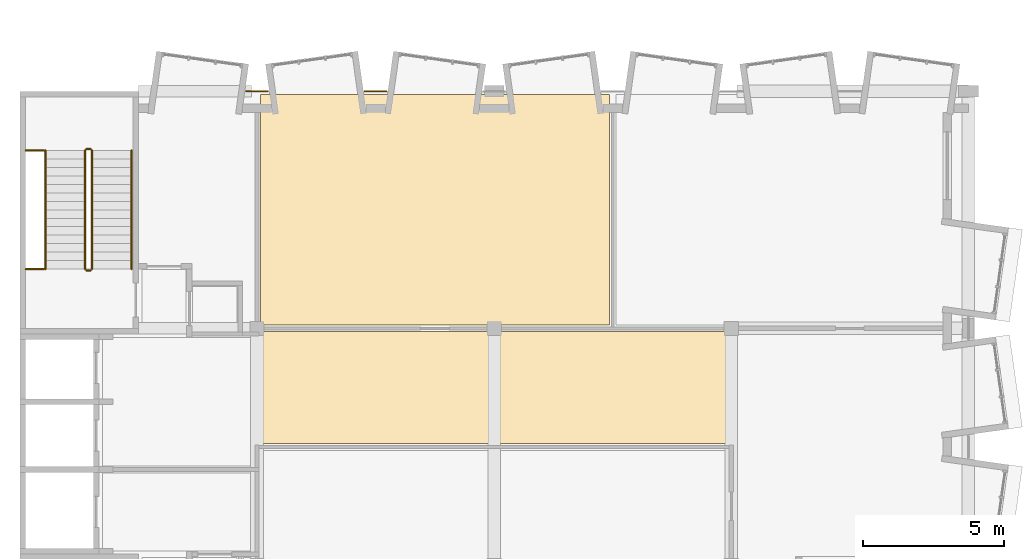
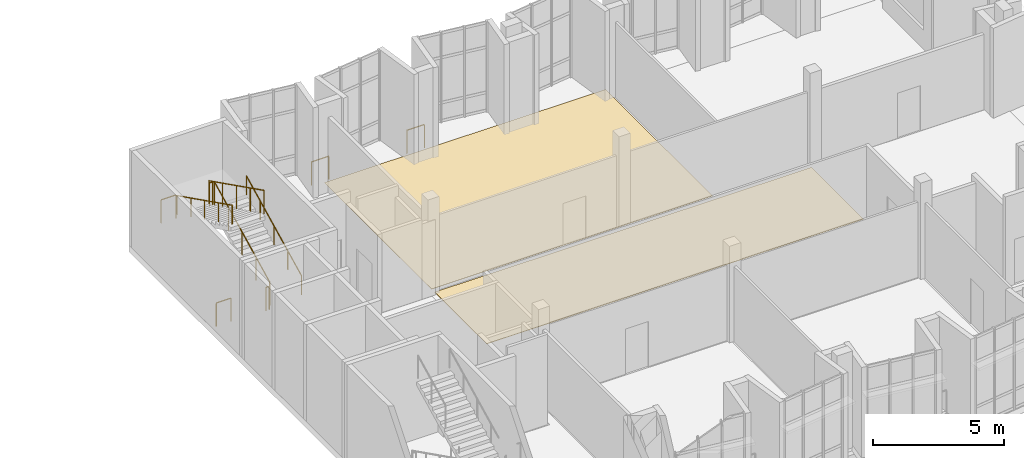
# One storey, part 16 of 18: 10 railings, 2 coverings.
"""IFC4 building model written with IfcOpenShell, lengths in metres."""

from ifc_helpers import new_model, si_unit, direction, frame, origin, origin_2d, place, context, subcontext, project, spatial, polyline, circle, outline, extrude, material, layer, layer_set, type_object, element, save


model = new_model("IFC4")

# Units and contexts
model_context = context("Model", 3, precision=1e-05, world=origin(), true_north=direction((0.0, 1.0)))
body_context = subcontext(model_context, "Body", "Model", "MODEL_VIEW")
ifc_project = project(units=[si_unit("LENGTHUNIT", "METRE"), si_unit("AREAUNIT", "SQUARE_METRE"), si_unit("VOLUMEUNIT", "CUBIC_METRE"), si_unit("PLANEANGLEUNIT", "RADIAN"), si_unit("MASSUNIT", "GRAM", prefix="KILO")], contexts=[model_context])

# Site, building, storey
site_placement = place(None, origin())
site = spatial("IfcSite", under=ifc_project, at=site_placement, CompositionType="ELEMENT")
building_placement = place(site_placement, origin())
building = spatial("IfcBuilding", under=site, at=building_placement, Name="Kiln Court Media Centre", CompositionType="ELEMENT")
storey_placement = place(building_placement, frame((0.0, 0.0, 33.60009765625)))
storey = spatial("IfcBuildingStorey", under=building, at=storey_placement, Name="L07", CompositionType="ELEMENT", Elevation=33.60009765625)

# Coverings
ifc_material_1 = material(Name="Carpet tile")
ifc_layer_1 = layer(ifc_material_1, 0.014892578125)
ifc_layer_set_1 = layer_set([ifc_layer_1], Name="Carpet tile floor finish 15")
covering_type_1 = type_object("IfcCoveringType", Name="Carpet tile floor finish 15", PredefinedType="FLOORING", material=ifc_layer_set_1)
covering_1_placement = place(storey_placement, origin())
element("IfcCovering", 1, at=covering_1_placement, inside=storey, type_object=covering_type_1, Name="Media Research Library floor finish", PredefinedType="FLOORING", context=body_context, shape_type="SweptSolid", body=[
    extrude(outline(polyline([(8.52001953125, 16.919921875), (20.8798828125, 16.919921875), (20.8798828125, 25.080078125), (8.52001953125, 25.080078125), (8.52001953125, 16.919921875)])), origin(), (0.0, 0.0, 1.0), 0.014892578125),
])
ifc_material_2 = material(Name="Engineered timber", Category="wood")
ifc_layer_2 = layer(ifc_material_2, 0.02001953125)
ifc_layer_set_2 = layer_set([ifc_layer_2], Name="Engineered timber floor finish 20")
covering_type_2 = type_object("IfcCoveringType", Name="Engineered timber floor finish 20", PredefinedType="FLOORING", material=ifc_layer_set_2)
covering_2_placement = place(storey_placement, origin())
element("IfcCovering", 2, at=covering_2_placement, inside=storey, type_object=covering_type_2, Name="Staff Common Room floor finish", PredefinedType="FLOORING", context=body_context, shape_type="SweptSolid", body=[
    extrude(outline(polyline([(8.52001953125, 12.719970703125), (25.080078125, 12.719970703125), (25.080078125, 16.679931640625), (8.52001953125, 16.679931640625), (8.52001953125, 12.719970703125)])), origin(), (0.0, 0.0, 1.0), 0.02001953125),
])

# Railings
ifc_material_3 = material(Name="Steel S275", Category="steel")
railing_type_1 = type_object("IfcRailingType", Name="Steel S275 balustrade guard 1100", PredefinedType="GUARDRAIL", material=ifc_material_3)
for number, where, name in (
    (3, (8.017578125, 25.199951171875, 0.0), "L07 slab notch guard"),
    (4, (12.2177734375, 25.199951171875, 0.0), "L07 slab notch guard"),
):
    element("IfcRailing", number, at=place(storey_placement, frame(where)), inside=storey, type_object=railing_type_1, Name=name, PredefinedType="GUARDRAIL", context=body_context, shape_type="SweptSolid", body=[
        extrude(circle(Radius=0.02392578125, at=origin_2d()), frame((0.0, 0.0, 1.076171875), z_axis=(1.0, 0.0, 0.0), x_axis=(0.0, 1.0, 0.0)), (0.0, 0.0, 1.0), 0.7646484375),
        extrude(circle(Radius=0.02099609375, at=origin_2d()), origin(), (0.0, 0.0, 1.0), 1.052001953125),
        extrude(circle(Radius=0.02099609375, at=origin_2d()), frame((0.7646484375, 0.0, 0.0)), (0.0, 0.0, 1.0), 1.052001953125),
    ])
ifc_material_4 = material(Name="Steel S275", Category="steel")
railing_type_2 = type_object("IfcRailingType", Name="Steel S275 stair guard 1100", PredefinedType="GUARDRAIL", material=ifc_material_4)
railing_1_placement = place(storey_placement, frame((2.550048828125, 18.89990234375, 0.14990234375)))
element("IfcRailing", 5, at=railing_1_placement, inside=storey, type_object=railing_type_2, Name="ST-02 stair guard", PredefinedType="GUARDRAIL", context=body_context, shape_type="SweptSolid", body=[
    extrude(circle(Radius=0.02392578125, at=origin_2d()), frame((0.0, 0.0, 1.076171875), z_axis=(0.0, 0.894427191, 0.4472135955), x_axis=(-1.0, 0.0, 0.0)), (0.0, 0.0, 1.0), 4.696044921875),
    extrude(circle(Radius=0.02099609375, at=origin_2d()), origin(), (0.0, 0.0, 1.0), 1.052001953125),
    extrude(circle(Radius=0.02099609375, at=origin_2d()), frame((0.0, 1.050048828125, 0.52490234375)), (0.0, 0.0, 1.0), 1.052001953125),
    extrude(circle(Radius=0.02099609375, at=origin_2d()), frame((0.0, 2.10009765625, 1.050048828125)), (0.0, 0.0, 1.0), 1.052001953125),
    extrude(circle(Radius=0.02099609375, at=origin_2d()), frame((0.0, 3.150146484375, 1.5751953125)), (0.0, 0.0, 1.0), 1.052001953125),
    extrude(circle(Radius=0.02099609375, at=origin_2d()), frame((0.0, 4.2001953125, 2.10009765625)), (0.0, 0.0, 1.0), 1.052001953125),
])
railing_2_placement = place(storey_placement, frame((2.5, 23.14990234375, 2.25)))
element("IfcRailing", 6, at=railing_2_placement, inside=storey, type_object=railing_type_2, Name="ST-02 stair guard", PredefinedType="GUARDRAIL", context=body_context, shape_type="SweptSolid", body=[
    extrude(circle(Radius=0.02392578125, at=origin_2d()), frame((0.0, 0.0, 1.076171875), z_axis=(-1.0, 0.0, 0.0), x_axis=(0.0, -1.0, 0.0)), (0.0, 0.0, 1.0), 0.14990234375),
    extrude(circle(Radius=0.02099609375, at=origin_2d()), origin(), (0.0, 0.0, 1.0), 1.052001953125),
    extrude(circle(Radius=0.02099609375, at=origin_2d()), frame((-0.14990234375, 0.0, 0.0)), (0.0, 0.0, 1.0), 1.052001953125),
])
railing_3_placement = place(storey_placement, frame((2.300048828125, 23.10009765625, 2.39990234375)))
element("IfcRailing", 7, at=railing_3_placement, inside=storey, type_object=railing_type_2, Name="ST-02 stair guard", PredefinedType="GUARDRAIL", context=body_context, shape_type="SweptSolid", body=[
    extrude(circle(Radius=0.02392578125, at=origin_2d()), frame((0.0, 0.0, 1.076171875), z_axis=(0.0, -0.894427191, 0.4472135955), x_axis=(1.0, 0.0, 0.0)), (0.0, 0.0, 1.0), 4.696044921875),
    extrude(circle(Radius=0.02099609375, at=origin_2d()), origin(), (0.0, 0.0, 1.0), 1.052001953125),
    extrude(circle(Radius=0.02099609375, at=origin_2d()), frame((0.0, -1.050048828125, 0.52490234375)), (0.0, 0.0, 1.0), 1.052001953125),
    extrude(circle(Radius=0.02099609375, at=origin_2d()), frame((0.0, -2.10009765625, 1.050048828125)), (0.0, 0.0, 1.0), 1.052001953125),
    extrude(circle(Radius=0.02099609375, at=origin_2d()), frame((0.0, -3.150146484375, 1.5751953125)), (0.0, 0.0, 1.0), 1.052001953125),
    extrude(circle(Radius=0.02099609375, at=origin_2d()), frame((0.0, -4.2001953125, 2.10009765625)), (0.0, 0.0, 1.0), 1.052001953125),
])
railing_4_placement = place(storey_placement, frame((2.5, 18.85009765625, 0.0)))
element("IfcRailing", 8, at=railing_4_placement, inside=storey, type_object=railing_type_2, Name="ST-02 stair guard", PredefinedType="GUARDRAIL", context=body_context, shape_type="SweptSolid", body=[
    extrude(circle(Radius=0.02392578125, at=origin_2d()), frame((0.0, 0.0, 1.076171875), z_axis=(-1.0, 0.0, 0.0), x_axis=(0.0, -1.0, 0.0)), (0.0, 0.0, 1.0), 0.14990234375),
    extrude(circle(Radius=0.02099609375, at=origin_2d()), origin(), (0.0, 0.0, 1.0), 1.052001953125),
    extrude(circle(Radius=0.02099609375, at=origin_2d()), frame((-0.14990234375, 0.0, 0.0)), (0.0, 0.0, 1.0), 1.052001953125),
])
for number, where, name in (
    (9, (0.85009765625, 23.10009765625, 2.25), "ST-02 landing edge guard"),
    (10, (0.85009765625, 18.89990234375, 0.0), "ST-02 landing edge guard"),
):
    element("IfcRailing", number, at=place(storey_placement, frame(where)), inside=storey, type_object=railing_type_2, Name=name, PredefinedType="GUARDRAIL", context=body_context, shape_type="SweptSolid", body=[
        extrude(circle(Radius=0.02392578125, at=origin_2d()), frame((0.0, 0.0, 1.076171875), z_axis=(-1.0, 0.0, 0.0), x_axis=(0.0, -1.0, 0.0)), (0.0, 0.0, 1.0), 0.650146484375),
        extrude(circle(Radius=0.02099609375, at=origin_2d()), origin(), (0.0, 0.0, 1.0), 1.052001953125),
        extrude(circle(Radius=0.02099609375, at=origin_2d()), frame((-0.650146484375, 0.0, 0.0)), (0.0, 0.0, 1.0), 1.052001953125),
    ])
ifc_material_5 = material(Name="Steel S275", Category="steel")
railing_type_3 = type_object("IfcRailingType", Name="Steel S275 stair handrail 900", PredefinedType="HANDRAIL", material=ifc_material_5)
railing_5_placement = place(storey_placement, frame((3.949951171875, 18.89990234375, 0.14990234375)))
element("IfcRailing", 11, at=railing_5_placement, inside=storey, type_object=railing_type_3, Name="ST-02 stair handrail", PredefinedType="HANDRAIL", context=body_context, shape_type="SweptSolid", body=[
    extrude(circle(Radius=0.02392578125, at=origin_2d()), frame((0.0, 0.0, 0.8759765625), z_axis=(0.0, 0.894427191, 0.4472135955), x_axis=(-1.0, 0.0, 0.0)), (0.0, 0.0, 1.0), 4.696044921875),
    extrude(circle(Radius=0.02099609375, at=origin_2d()), origin(), (0.0, 0.0, 1.0), 0.851806640625),
    extrude(circle(Radius=0.02099609375, at=origin_2d()), frame((0.0, 1.050048828125, 0.52490234375)), (0.0, 0.0, 1.0), 0.851806640625),
    extrude(circle(Radius=0.02099609375, at=origin_2d()), frame((0.0, 2.10009765625, 1.050048828125)), (0.0, 0.0, 1.0), 0.851806640625),
    extrude(circle(Radius=0.02099609375, at=origin_2d()), frame((0.0, 3.150146484375, 1.5751953125)), (0.0, 0.0, 1.0), 0.851806640625),
    extrude(circle(Radius=0.02099609375, at=origin_2d()), frame((0.0, 4.2001953125, 2.10009765625)), (0.0, 0.0, 1.0), 0.851806640625),
])
railing_6_placement = place(storey_placement, frame((0.89990234375, 23.10009765625, 2.39990234375)))
element("IfcRailing", 12, at=railing_6_placement, inside=storey, type_object=railing_type_3, Name="ST-02 stair handrail", PredefinedType="HANDRAIL", context=body_context, shape_type="SweptSolid", body=[
    extrude(circle(Radius=0.02392578125, at=origin_2d()), frame((0.0, 0.0, 0.8759765625), z_axis=(0.0, -0.894427191, 0.4472135955), x_axis=(1.0, 0.0, 0.0)), (0.0, 0.0, 1.0), 4.696044921875),
    extrude(circle(Radius=0.02099609375, at=origin_2d()), origin(), (0.0, 0.0, 1.0), 0.851806640625),
    extrude(circle(Radius=0.02099609375, at=origin_2d()), frame((0.0, -1.050048828125, 0.52490234375)), (0.0, 0.0, 1.0), 0.851806640625),
    extrude(circle(Radius=0.02099609375, at=origin_2d()), frame((0.0, -2.10009765625, 1.050048828125)), (0.0, 0.0, 1.0), 0.851806640625),
    extrude(circle(Radius=0.02099609375, at=origin_2d()), frame((0.0, -3.150146484375, 1.5751953125)), (0.0, 0.0, 1.0), 0.851806640625),
    extrude(circle(Radius=0.02099609375, at=origin_2d()), frame((0.0, -4.2001953125, 2.10009765625)), (0.0, 0.0, 1.0), 0.851806640625),
])

save(model, "model.ifc")
